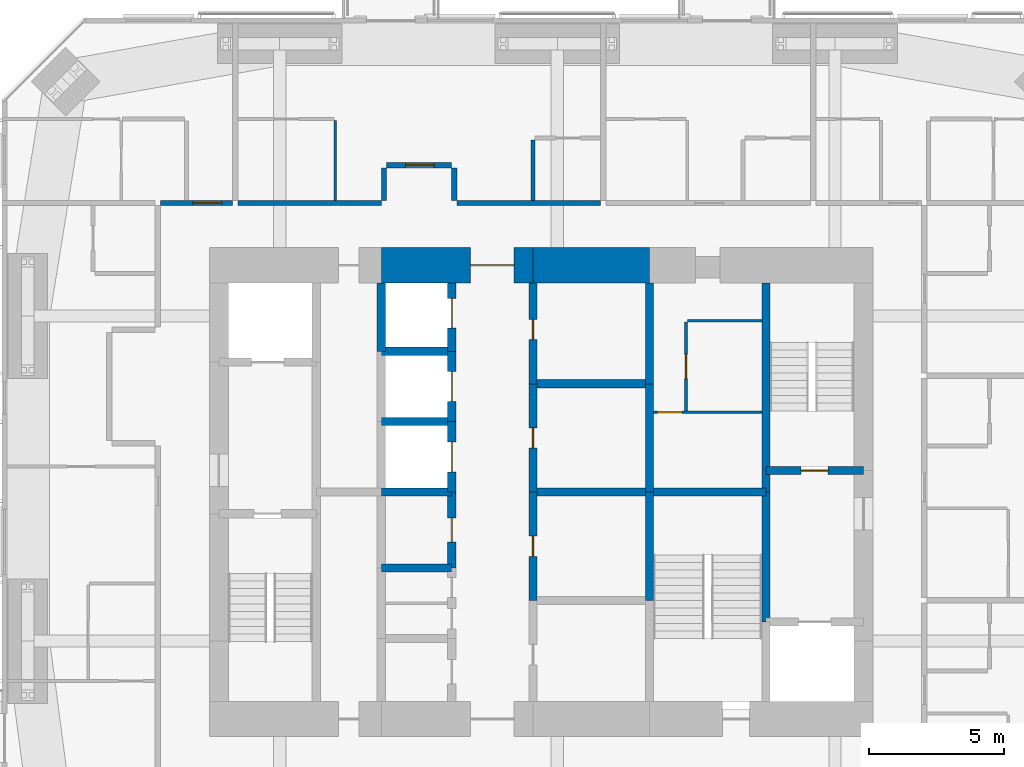
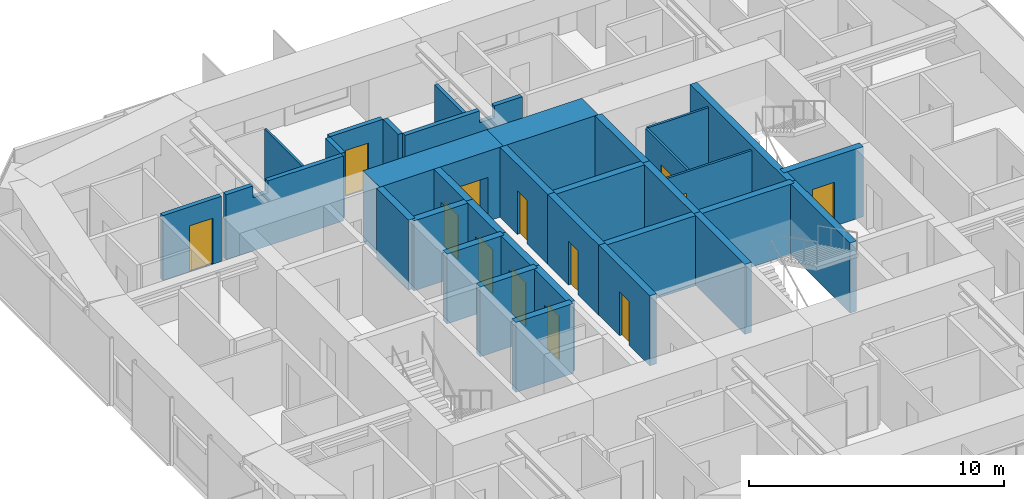
# One storey, part 18 of 22: 34 walls, 13 doors, 13 openings.
"""IFC4 building model written with IfcOpenShell, lengths in metres."""

from ifc_helpers import new_model, si_unit, direction, frame, frame_2d, origin, place, context, subcontext, project, spatial, polyline, rectangle, outline, extrude, material, layer, layer_set, constituent, constituent_set, type_object, element, fill, save


model = new_model("IFC4")

# Units and contexts
model_context = context("Model", 3, precision=1e-05, world=origin(), true_north=direction((0.0, 1.0)))
body_context = subcontext(model_context, "Body", "Model", "MODEL_VIEW")
ifc_project = project(units=[si_unit("LENGTHUNIT", "METRE"), si_unit("AREAUNIT", "SQUARE_METRE"), si_unit("VOLUMEUNIT", "CUBIC_METRE"), si_unit("PLANEANGLEUNIT", "RADIAN"), si_unit("MASSUNIT", "GRAM", prefix="KILO")], contexts=[model_context])

# Site, building, storey
site_placement = place(None, origin())
site = spatial("IfcSite", under=ifc_project, at=site_placement, CompositionType="ELEMENT")
building_placement = place(site_placement, origin())
building = spatial("IfcBuilding", under=site, at=building_placement, Name="Jalousie Tower", CompositionType="ELEMENT")
storey_placement = place(building_placement, frame((0.0, 0.0, 161.050048828125)))
storey = spatial("IfcBuildingStorey", under=building, at=storey_placement, Name="L43", CompositionType="ELEMENT", Elevation=161.050048828125)

# Walls
ifc_material_1 = material(Name="Concrete block ASTM C90", Category="concrete")
ifc_constituent_1 = constituent(ifc_material_1, Name="Body")
ifc_material_2 = material(Name="Render")
ifc_constituent_2 = constituent(ifc_material_2, Name="Finish")
ifc_constituent_set_1 = constituent_set(constituents=[ifc_constituent_1, ifc_constituent_2])
wall_type_1 = type_object("IfcWallType", Name="BATHROOM WALL 150", PredefinedType="PLUMBINGWALL", material=ifc_constituent_set_1)
wall_1_placement = place(storey_placement, frame((31.60009765625, 31.5, 0.0), z_axis=(0.0, 0.0, 1.0), x_axis=(0.0, -1.0, 0.0)))
element("IfcWall", 1, at=wall_1_placement, inside=storey, type_object=wall_type_1, Name="Bathroom Wall 150 L43", PredefinedType="PLUMBINGWALL", context=body_context, shape_type="SweptSolid", body=[
    extrude(rectangle(XDim=2.22509765625, YDim=0.14990234375, at=frame_2d((1.112548828125, 0.0))), origin(), (0.0, 0.0, 1.0), 3.10986328125),
])
ifc_material_3 = material(Name="Concrete f'c 120 MPa", Category="concrete")
ifc_layer_1 = layer(ifc_material_3, 1.300048828125)
ifc_layer_set_1 = layer_set([ifc_layer_1], Name="Concrete f'c 120 MPa")
wall_type_2 = type_object("IfcWallType", Name="CORE WALL 1300", PredefinedType="SHEAR", material=ifc_layer_set_1)
wall_2_placement = place(storey_placement, frame((35.89990234375, 26.875, 0.0), z_axis=(0.0, 0.0, 1.0), x_axis=(-1.0, 0.0, 0.0)))
element("IfcWall", 2, at=wall_2_placement, inside=storey, type_object=wall_type_2, Name="Core wall NB L43", PredefinedType="SHEAR", context=body_context, shape_type="SweptSolid", body=[
    extrude(rectangle(XDim=4.2998046875, YDim=1.300048828125, at=frame_2d((2.14990234375, 0.0))), origin(), (0.0, 0.0, 1.0), 3.349853515625),
])

# Wall, opening, door
wall_3_placement = place(storey_placement, frame((31.60009765625, 26.875, 0.0), z_axis=(0.0, 0.0, 1.0), x_axis=(-1.0, 0.0, 0.0)))
wall_3 = element("IfcWall", 3, at=wall_3_placement, inside=storey, type_object=wall_type_2, Name="Core wall NC L43", PredefinedType="SHEAR", context=body_context, shape_type="SweptSolid", body=[
    extrude(rectangle(XDim=5.60009765625, YDim=1.300048828125, at=frame_2d((2.800048828125, 0.0))), origin(), (0.0, 0.0, 1.0), 3.349853515625),
])
opening_1_placement = place(wall_3_placement, frame((0.699951171875, 0.0, 0.0)))
opening_1 = element("IfcOpeningElement", 4, at=opening_1_placement, cuts=wall_3, Name="Opening D15", PredefinedType="OPENING", context=body_context, shape_type="SweptSolid", body=[
    extrude(rectangle(XDim=1.60009765625, YDim=2.10009765625, at=frame_2d((0.800048828125, 1.050048828125))), frame((0.0, 0.659912109375, 0.0), z_axis=(0.0, -1.0, 0.0), x_axis=(1.0, 0.0, 0.0)), (0.0, 0.0, 1.0), 1.320068359375),
])
ifc_material_4 = material(Name="Steel fire door", Category="steel")
door_type_1 = type_object("IfcDoorType", Name="LIFT LOBBY DOOR 1600", OperationType="DOUBLE_DOOR_SINGLE_SWING", PredefinedType="DOOR", material=ifc_material_4)
door_1_placement = place(opening_1_placement, origin())
door_1 = element("IfcDoor", 5, at=door_1_placement, inside=storey, type_object=door_type_1, Name="Lift lobby north door", OperationType="DOUBLE_DOOR_SINGLE_SWING", OverallHeight=2.10009765625, OverallWidth=1.60009765625, PredefinedType="DOOR", context=body_context, shape_type="SweptSolid", body=[
    extrude(rectangle(XDim=1.60009765625, YDim=2.10009765625, at=frame_2d((0.800048828125, 1.050048828125))), frame((0.0, 0.02490234375, 0.0), z_axis=(0.0, -1.0, 0.0), x_axis=(1.0, 0.0, 0.0)), (0.0, 0.0, 1.0), 0.050048828125),
])
fill(opening_1, door_1)

# Wall
ifc_material_5 = material(Name="Concrete f'c 120 MPa", Category="concrete")
ifc_layer_2 = layer(ifc_material_5, 0.300048828125)
ifc_layer_set_2 = layer_set([ifc_layer_2], Name="Concrete f'c 120 MPa")
wall_type_3 = type_object("IfcWallType", Name="CORE WALL 300", PredefinedType="SHEAR", material=ifc_layer_set_2)
wall_4_placement = place(storey_placement, frame((26.0, 23.699951171875, 0.0), z_axis=(0.0, 0.0, 1.0), x_axis=(0.0, 1.0, 0.0)))
element("IfcWall", 6, at=wall_4_placement, inside=storey, type_object=wall_type_3, Name="Core wall X26F L43", PredefinedType="SHEAR", context=body_context, shape_type="SweptSolid", body=[
    extrude(rectangle(XDim=2.525146484375, YDim=0.300048828125, at=frame_2d((1.2626953125, 0.0))), origin(), (0.0, 0.0, 1.0), 3.349853515625),
])

# Wall, opening, door
wall_5_placement = place(storey_placement, frame((28.60009765625, 15.699951171875, 0.0), z_axis=(0.0, 0.0, 1.0), x_axis=(0.0, 1.0, 0.0)))
wall_5 = element("IfcWall", 7, at=wall_5_placement, inside=storey, type_object=wall_type_3, Name="Core wall X28.6C L43", PredefinedType="SHEAR", context=body_context, shape_type="SweptSolid", body=[
    extrude(rectangle(XDim=2.800048828125, YDim=0.300048828125, at=frame_2d((1.39990234375, 0.0))), origin(), (0.0, 0.0, 1.0), 3.349853515625),
])
opening_2_placement = place(wall_5_placement, frame((0.949951171875, 0.0, 0.0)))
opening_2 = element("IfcOpeningElement", 8, at=opening_2_placement, cuts=wall_5, Name="Opening D24", PredefinedType="OPENING", context=body_context, shape_type="SweptSolid", body=[
    extrude(rectangle(XDim=0.89990234375, YDim=2.10009765625, at=frame_2d((0.449951171875, 1.050048828125))), frame((0.0, 0.159912109375, 0.0), z_axis=(0.0, -1.0, 0.0), x_axis=(1.0, 0.0, 0.0)), (0.0, 0.0, 1.0), 0.320068359375),
])
ifc_material_6 = material(Name="Steel fire door", Category="steel")
door_type_2 = type_object("IfcDoorType", Name="CORE ROOM DOOR 900", OperationType="SINGLE_SWING_LEFT", PredefinedType="DOOR", material=ifc_material_6)
door_2_placement = place(opening_2_placement, origin())
door_2 = element("IfcDoor", 9, at=door_2_placement, inside=storey, type_object=door_type_2, Name="IT room door", OperationType="SINGLE_SWING_LEFT", OverallHeight=2.10009765625, OverallWidth=0.89990234375, PredefinedType="DOOR", context=body_context, shape_type="SweptSolid", body=[
    extrude(rectangle(XDim=0.89990234375, YDim=2.10009765625, at=frame_2d((0.449951171875, 1.050048828125))), frame((0.0, 0.02490234375, 0.0), z_axis=(0.0, -1.0, 0.0), x_axis=(1.0, 0.0, 0.0)), (0.0, 0.0, 1.0), 0.050048828125),
])
fill(opening_2, door_2)

wall_6_placement = place(storey_placement, frame((28.60009765625, 18.5, 0.0), z_axis=(0.0, 0.0, 1.0), x_axis=(0.0, 1.0, 0.0)))
wall_6 = element("IfcWall", 10, at=wall_6_placement, inside=storey, type_object=wall_type_3, Name="Core wall X28.6D L43", PredefinedType="SHEAR", context=body_context, shape_type="SweptSolid", body=[
    extrude(rectangle(XDim=2.60009765625, YDim=0.300048828125, at=frame_2d((1.300048828125, 0.0))), origin(), (0.0, 0.0, 1.0), 3.349853515625),
])
opening_3_placement = place(wall_6_placement, frame((0.75, 0.0, 0.0)))
opening_3 = element("IfcOpeningElement", 11, at=opening_3_placement, cuts=wall_6, Name="Opening LD1", PredefinedType="OPENING", context=body_context, shape_type="SweptSolid", body=[
    extrude(rectangle(XDim=1.10009765625, YDim=2.10009765625, at=frame_2d((0.550048828125, 1.050048828125))), frame((0.0, 0.159912109375, 0.0), z_axis=(0.0, -1.0, 0.0), x_axis=(1.0, 0.0, 0.0)), (0.0, 0.0, 1.0), 0.320068359375),
])
ifc_material_7 = material(Name="Steel lift landing door", Category="steel")
door_type_3 = type_object("IfcDoorType", Name="LIFT LANDING DOOR 1100", OperationType="SLIDING_TO_LEFT", PredefinedType="DOOR", material=ifc_material_7)
door_3_placement = place(opening_3_placement, origin())
door_3 = element("IfcDoor", 12, at=door_3_placement, inside=storey, type_object=door_type_3, Name="Lift P4 landing door", OperationType="SLIDING_TO_LEFT", OverallHeight=2.10009765625, OverallWidth=1.10009765625, PredefinedType="DOOR", context=body_context, shape_type="SweptSolid", body=[
    extrude(rectangle(XDim=1.10009765625, YDim=2.10009765625, at=frame_2d((0.550048828125, 1.050048828125))), frame((0.0, 0.02490234375, 0.0), z_axis=(0.0, -1.0, 0.0), x_axis=(1.0, 0.0, 0.0)), (0.0, 0.0, 1.0), 0.050048828125),
])
fill(opening_3, door_3)

wall_7_placement = place(storey_placement, frame((28.60009765625, 21.10009765625, 0.0), z_axis=(0.0, 0.0, 1.0), x_axis=(0.0, 1.0, 0.0)))
wall_7 = element("IfcWall", 13, at=wall_7_placement, inside=storey, type_object=wall_type_3, Name="Core wall X28.6E L43", PredefinedType="SHEAR", context=body_context, shape_type="SweptSolid", body=[
    extrude(rectangle(XDim=2.599853515625, YDim=0.300048828125, at=frame_2d((1.2998046875, 0.0))), origin(), (0.0, 0.0, 1.0), 3.349853515625),
])
opening_4_placement = place(wall_7_placement, frame((0.75, 0.0, 0.0)))
opening_4 = element("IfcOpeningElement", 14, at=opening_4_placement, cuts=wall_7, Name="Opening LD1", PredefinedType="OPENING", context=body_context, shape_type="SweptSolid", body=[
    extrude(rectangle(XDim=1.10009765625, YDim=2.10009765625, at=frame_2d((0.550048828125, 1.050048828125))), frame((0.0, 0.159912109375, 0.0), z_axis=(0.0, -1.0, 0.0), x_axis=(1.0, 0.0, 0.0)), (0.0, 0.0, 1.0), 0.320068359375),
])
door_4_placement = place(opening_4_placement, origin())
door_4 = element("IfcDoor", 15, at=door_4_placement, inside=storey, type_object=door_type_3, Name="Lift P5 landing door", OperationType="SLIDING_TO_LEFT", OverallHeight=2.10009765625, OverallWidth=1.10009765625, PredefinedType="DOOR", context=body_context, shape_type="SweptSolid", body=[
    extrude(rectangle(XDim=1.10009765625, YDim=2.10009765625, at=frame_2d((0.550048828125, 1.050048828125))), frame((0.0, 0.02490234375, 0.0), z_axis=(0.0, -1.0, 0.0), x_axis=(1.0, 0.0, 0.0)), (0.0, 0.0, 1.0), 0.050048828125),
])
fill(opening_4, door_4)

wall_8_placement = place(storey_placement, frame((28.60009765625, 23.699951171875, 0.0), z_axis=(0.0, 0.0, 1.0), x_axis=(0.0, 1.0, 0.0)))
wall_8 = element("IfcWall", 16, at=wall_8_placement, inside=storey, type_object=wall_type_3, Name="Core wall X28.6F L43", PredefinedType="SHEAR", context=body_context, shape_type="SweptSolid", body=[
    extrude(rectangle(XDim=2.525146484375, YDim=0.300048828125, at=frame_2d((1.2626953125, 0.0))), origin(), (0.0, 0.0, 1.0), 3.349853515625),
])
opening_5_placement = place(wall_8_placement, frame((0.85009765625, 0.0, 0.0)))
opening_5 = element("IfcOpeningElement", 17, at=opening_5_placement, cuts=wall_8, Name="Opening LD1", PredefinedType="OPENING", context=body_context, shape_type="SweptSolid", body=[
    extrude(rectangle(XDim=1.10009765625, YDim=2.10009765625, at=frame_2d((0.550048828125, 1.050048828125))), frame((0.0, 0.159912109375, 0.0), z_axis=(0.0, -1.0, 0.0), x_axis=(1.0, 0.0, 0.0)), (0.0, 0.0, 1.0), 0.320068359375),
])
door_5_placement = place(opening_5_placement, origin())
door_5 = element("IfcDoor", 18, at=door_5_placement, inside=storey, type_object=door_type_3, Name="Lift P6 landing door", OperationType="SLIDING_TO_LEFT", OverallHeight=2.10009765625, OverallWidth=1.10009765625, PredefinedType="DOOR", context=body_context, shape_type="SweptSolid", body=[
    extrude(rectangle(XDim=1.10009765625, YDim=2.10009765625, at=frame_2d((0.550048828125, 1.050048828125))), frame((0.0, 0.02490234375, 0.0), z_axis=(0.0, -1.0, 0.0), x_axis=(1.0, 0.0, 0.0)), (0.0, 0.0, 1.0), 0.050048828125),
])
fill(opening_5, door_5)

wall_9_placement = place(storey_placement, frame((31.60009765625, 14.5, 0.0), z_axis=(0.0, 0.0, 1.0), x_axis=(0.0, 1.0, 0.0)))
wall_9 = element("IfcWall", 19, at=wall_9_placement, inside=storey, type_object=wall_type_3, Name="Core wall X31.6B L43", PredefinedType="SHEAR", context=body_context, shape_type="SweptSolid", body=[
    extrude(rectangle(XDim=4.0, YDim=0.300048828125, at=frame_2d((2.0, 0.0))), origin(), (0.0, 0.0, 1.0), 3.349853515625),
])
opening_6_placement = place(wall_9_placement, frame((1.625, 0.0, 0.0)))
opening_6 = element("IfcOpeningElement", 20, at=opening_6_placement, cuts=wall_9, Name="Opening D16", PredefinedType="OPENING", context=body_context, shape_type="SweptSolid", body=[
    extrude(rectangle(XDim=0.75, YDim=2.10009765625, at=frame_2d((0.375, 1.050048828125))), frame((0.0, 0.159912109375, 0.0), z_axis=(0.0, -1.0, 0.0), x_axis=(1.0, 0.0, 0.0)), (0.0, 0.0, 1.0), 0.320068359375),
])
ifc_material_8 = material(Name="Steel fire door", Category="steel")
door_type_4 = type_object("IfcDoorType", Name="RISER DOOR 750", OperationType="SINGLE_SWING_LEFT", PredefinedType="DOOR", material=ifc_material_8)
door_6_placement = place(opening_6_placement, frame((0.75, 0.0, 0.0), z_axis=(0.0, 0.0, 1.0), x_axis=(-1.0, 0.0, 0.0)))
door_6 = element("IfcDoor", 21, at=door_6_placement, inside=storey, type_object=door_type_4, Name="Electrical Room door", OperationType="SINGLE_SWING_RIGHT", OverallHeight=2.10009765625, OverallWidth=0.75, PredefinedType="DOOR", context=body_context, shape_type="SweptSolid", body=[
    extrude(rectangle(XDim=0.75, YDim=2.10009765625, at=frame_2d((0.375, 1.050048828125))), frame((0.0, 0.02490234375, 0.0), z_axis=(0.0, -1.0, 0.0), x_axis=(1.0, 0.0, 0.0)), (0.0, 0.0, 1.0), 0.050048828125),
])
fill(opening_6, door_6)

wall_10_placement = place(storey_placement, frame((31.60009765625, 18.5, 0.0), z_axis=(0.0, 0.0, 1.0), x_axis=(0.0, 1.0, 0.0)))
wall_10 = element("IfcWall", 22, at=wall_10_placement, inside=storey, type_object=wall_type_3, Name="Core wall X31.6C L43", PredefinedType="SHEAR", context=body_context, shape_type="SweptSolid", body=[
    extrude(rectangle(XDim=4.0, YDim=0.300048828125, at=frame_2d((2.0, 0.0))), origin(), (0.0, 0.0, 1.0), 3.349853515625),
])
opening_7_placement = place(wall_10_placement, frame((1.625, 0.0, 0.0)))
opening_7 = element("IfcOpeningElement", 23, at=opening_7_placement, cuts=wall_10, Name="Opening D16", PredefinedType="OPENING", context=body_context, shape_type="SweptSolid", body=[
    extrude(rectangle(XDim=0.75, YDim=2.10009765625, at=frame_2d((0.375, 1.050048828125))), frame((0.0, 0.159912109375, 0.0), z_axis=(0.0, -1.0, 0.0), x_axis=(1.0, 0.0, 0.0)), (0.0, 0.0, 1.0), 0.320068359375),
])
door_7_placement = place(opening_7_placement, frame((0.75, 0.0, 0.0), z_axis=(0.0, 0.0, 1.0), x_axis=(-1.0, 0.0, 0.0)))
door_7 = element("IfcDoor", 24, at=door_7_placement, inside=storey, type_object=door_type_4, Name="Telecom Room door", OperationType="SINGLE_SWING_RIGHT", OverallHeight=2.10009765625, OverallWidth=0.75, PredefinedType="DOOR", context=body_context, shape_type="SweptSolid", body=[
    extrude(rectangle(XDim=0.75, YDim=2.10009765625, at=frame_2d((0.375, 1.050048828125))), frame((0.0, 0.02490234375, 0.0), z_axis=(0.0, -1.0, 0.0), x_axis=(1.0, 0.0, 0.0)), (0.0, 0.0, 1.0), 0.050048828125),
])
fill(opening_7, door_7)

wall_11_placement = place(storey_placement, frame((31.60009765625, 22.5, 0.0), z_axis=(0.0, 0.0, 1.0), x_axis=(0.0, 1.0, 0.0)))
wall_11 = element("IfcWall", 25, at=wall_11_placement, inside=storey, type_object=wall_type_3, Name="Core wall X31.6D L43", PredefinedType="SHEAR", context=body_context, shape_type="SweptSolid", body=[
    extrude(rectangle(XDim=3.72509765625, YDim=0.300048828125, at=frame_2d((1.862548828125, 0.0))), origin(), (0.0, 0.0, 1.0), 3.349853515625),
])
opening_8_placement = place(wall_11_placement, frame((1.625, 0.0, 0.0)))
opening_8 = element("IfcOpeningElement", 26, at=opening_8_placement, cuts=wall_11, Name="Opening D16", PredefinedType="OPENING", context=body_context, shape_type="SweptSolid", body=[
    extrude(rectangle(XDim=0.75, YDim=2.10009765625, at=frame_2d((0.375, 1.050048828125))), frame((0.0, 0.159912109375, 0.0), z_axis=(0.0, -1.0, 0.0), x_axis=(1.0, 0.0, 0.0)), (0.0, 0.0, 1.0), 0.320068359375),
])
door_8_placement = place(opening_8_placement, frame((0.75, 0.0, 0.0), z_axis=(0.0, 0.0, 1.0), x_axis=(-1.0, 0.0, 0.0)))
door_8 = element("IfcDoor", 27, at=door_8_placement, inside=storey, type_object=door_type_4, Name="Water Services Room door", OperationType="SINGLE_SWING_LEFT", OverallHeight=2.10009765625, OverallWidth=0.75, PredefinedType="DOOR", context=body_context, shape_type="SweptSolid", body=[
    extrude(rectangle(XDim=0.75, YDim=2.10009765625, at=frame_2d((0.375, 1.050048828125))), frame((0.0, 0.02490234375, 0.0), z_axis=(0.0, -1.0, 0.0), x_axis=(1.0, 0.0, 0.0)), (0.0, 0.0, 1.0), 0.050048828125),
])
fill(opening_8, door_8)

# Walls
for number, where, z_axis, x_axis, name in (
    (28, (35.89990234375, 14.5, 0.0), (0.0, 0.0, 1.0), (0.0, 1.0, 0.0), "Core wall X35.9B L43"),
    (29, (35.89990234375, 18.5, 0.0), (0.0, 0.0, 1.0), (0.0, 1.0, 0.0), "Core wall X35.9C L43"),
):
    element("IfcWall", number, at=place(storey_placement, frame(where, z_axis=z_axis, x_axis=x_axis)), inside=storey, type_object=wall_type_3, Name=name, PredefinedType="SHEAR", context=body_context, shape_type="SweptSolid", body=[
        extrude(rectangle(XDim=4.0, YDim=0.300048828125, at=frame_2d((2.0, 0.0))), origin(), (0.0, 0.0, 1.0), 3.349853515625),
    ])
wall_12_placement = place(storey_placement, frame((35.89990234375, 22.5, 0.0), z_axis=(0.0, 0.0, 1.0), x_axis=(0.0, 1.0, 0.0)))
element("IfcWall", 30, at=wall_12_placement, inside=storey, type_object=wall_type_3, Name="Core wall X35.9D L43", PredefinedType="SHEAR", context=body_context, shape_type="SweptSolid", body=[
    extrude(rectangle(XDim=3.72509765625, YDim=0.300048828125, at=frame_2d((1.862548828125, 0.0))), origin(), (0.0, 0.0, 1.0), 3.349853515625),
])
wall_13_placement = place(storey_placement, frame((40.199951171875, 13.699951171875, 0.0), z_axis=(0.0, 0.0, 1.0), x_axis=(0.0, 1.0, 0.0)))
element("IfcWall", 31, at=wall_13_placement, inside=storey, type_object=wall_type_3, Name="Core wall X40.2B L43", PredefinedType="SHEAR", context=body_context, shape_type="SweptSolid", body=[
    extrude(rectangle(XDim=4.800048828125, YDim=0.300048828125, at=frame_2d((2.39990234375, 0.0))), origin(), (0.0, 0.0, 1.0), 3.349853515625),
])
wall_14_placement = place(storey_placement, frame((40.199951171875, 18.5, 0.0), z_axis=(0.0, 0.0, 1.0), x_axis=(0.0, 1.0, 0.0)))
element("IfcWall", 32, at=wall_14_placement, inside=storey, type_object=wall_type_3, Name="Core wall X40.2C L43", PredefinedType="SHEAR", context=body_context, shape_type="SweptSolid", body=[
    extrude(rectangle(XDim=7.72509765625, YDim=0.300048828125, at=frame_2d((3.862548828125, 0.0))), origin(), (0.0, 0.0, 1.0), 3.349853515625),
])
for number, where, z_axis, x_axis, name in (
    (33, (26.0, 15.699951171875, 0.0), (0.0, 0.0, 1.0), (1.0, 0.0, 0.0), "Core wall Y26-15.7 L43"),
    (34, (26.0, 18.5, 0.0), (0.0, 0.0, 1.0), (1.0, 0.0, 0.0), "Core wall Y26-18.5 L43"),
    (35, (26.0, 21.10009765625, 0.0), (0.0, 0.0, 1.0), (1.0, 0.0, 0.0), "Core wall Y26-21.1 L43"),
    (36, (26.0, 23.699951171875, 0.0), (0.0, 0.0, 1.0), (1.0, 0.0, 0.0), "Core wall Y26-23.7 L43"),
):
    element("IfcWall", number, at=place(storey_placement, frame(where, z_axis=z_axis, x_axis=x_axis)), inside=storey, type_object=wall_type_3, Name=name, PredefinedType="SHEAR", context=body_context, shape_type="SweptSolid", body=[
        extrude(rectangle(XDim=2.60009765625, YDim=0.300048828125, at=frame_2d((1.300048828125, 0.0))), origin(), (0.0, 0.0, 1.0), 3.349853515625),
    ])
for number, where, z_axis, x_axis, name in (
    (37, (31.60009765625, 18.5, 0.0), (0.0, 0.0, 1.0), (1.0, 0.0, 0.0), "Core wall Y31.6-18.5 L43"),
    (38, (31.60009765625, 22.5, 0.0), (0.0, 0.0, 1.0), (1.0, 0.0, 0.0), "Core wall Y31.6-22.5 L43"),
):
    element("IfcWall", number, at=place(storey_placement, frame(where, z_axis=z_axis, x_axis=x_axis)), inside=storey, type_object=wall_type_3, Name=name, PredefinedType="SHEAR", context=body_context, shape_type="SweptSolid", body=[
        extrude(rectangle(XDim=4.2998046875, YDim=0.300048828125, at=frame_2d((2.14990234375, 0.0))), origin(), (0.0, 0.0, 1.0), 3.349853515625),
    ])
wall_15_placement = place(storey_placement, frame((35.89990234375, 18.5, 0.0), z_axis=(0.0, 0.0, 1.0), x_axis=(1.0, 0.0, 0.0)))
element("IfcWall", 39, at=wall_15_placement, inside=storey, type_object=wall_type_3, Name="Core wall Y35.9-18.5 L43", PredefinedType="SHEAR", context=body_context, shape_type="SweptSolid", body=[
    extrude(rectangle(XDim=4.300048828125, YDim=0.300048828125, at=frame_2d((2.14990234375, 0.0))), origin(), (0.0, 0.0, 1.0), 3.349853515625),
])

# Wall, opening, door
wall_16_placement = place(storey_placement, frame((40.199951171875, 19.300048828125, 0.0), z_axis=(0.0, 0.0, 1.0), x_axis=(1.0, 0.0, 0.0)))
wall_16 = element("IfcWall", 40, at=wall_16_placement, inside=storey, type_object=wall_type_3, Name="Core wall Y40.2-19.3 L43", PredefinedType="SHEAR", context=body_context, shape_type="SweptSolid", body=[
    extrude(rectangle(XDim=3.60009765625, YDim=0.300048828125, at=frame_2d((1.800048828125, 0.0))), origin(), (0.0, 0.0, 1.0), 3.349853515625),
])
opening_9_placement = place(wall_16_placement, frame((1.300048828125, 0.0, 0.0)))
opening_9 = element("IfcOpeningElement", 41, at=opening_9_placement, cuts=wall_16, Name="Opening D10", PredefinedType="OPENING", context=body_context, shape_type="SweptSolid", body=[
    extrude(rectangle(XDim=1.0, YDim=2.10009765625, at=frame_2d((0.5, 1.050048828125))), frame((0.0, 0.159912109375, 0.0), z_axis=(0.0, -1.0, 0.0), x_axis=(1.0, 0.0, 0.0)), (0.0, 0.0, 1.0), 0.320068359375),
])
ifc_material_9 = material(Name="Steel fire door", Category="steel")
door_type_5 = type_object("IfcDoorType", Name="STAIR DOOR 1000", OperationType="SINGLE_SWING_LEFT", PredefinedType="DOOR", material=ifc_material_9)
door_9_placement = place(opening_9_placement, origin())
door_9 = element("IfcDoor", 42, at=door_9_placement, inside=storey, type_object=door_type_5, Name="Exit stair B door", OperationType="SINGLE_SWING_RIGHT", OverallHeight=2.10009765625, OverallWidth=1.0, PredefinedType="DOOR", context=body_context, shape_type="SweptSolid", body=[
    extrude(rectangle(XDim=1.0, YDim=2.10009765625, at=frame_2d((0.5, 1.050048828125))), frame((0.0, 0.02490234375, 0.0), z_axis=(0.0, -1.0, 0.0), x_axis=(1.0, 0.0, 0.0)), (0.0, 0.0, 1.0), 0.050048828125),
])
fill(opening_9, door_9)

ifc_material_10 = material(Name="Concrete block ASTM C90", Category="concrete")
ifc_constituent_3 = constituent(ifc_material_10, Name="Body")
ifc_material_11 = material(Name="Render")
ifc_constituent_4 = constituent(ifc_material_11, Name="Finish")
ifc_constituent_set_2 = constituent_set(constituents=[ifc_constituent_3, ifc_constituent_4])
wall_type_4 = type_object("IfcWallType", Name="CORRIDOR WALL 200", PredefinedType="PARTITIONING", material=ifc_constituent_set_2)
wall_17_placement = place(storey_placement, frame((17.85009765625, 29.175048828125, 0.0), z_axis=(0.0, 0.0, 1.0), x_axis=(1.0, 0.0, 0.0)))
wall_17 = element("IfcWall", 43, at=wall_17_placement, inside=storey, type_object=wall_type_4, Name="Corridor Wall 200 L43", PredefinedType="PARTITIONING", context=body_context, shape_type="SweptSolid", body=[
    extrude(rectangle(XDim=2.64990234375, YDim=0.199951171875, at=frame_2d((1.324951171875, 0.0))), origin(), (0.0, 0.0, 1.0), 3.10986328125),
])
opening_10_placement = place(wall_17_placement, frame((1.199951171875, 0.0, 0.0)))
opening_10 = element("IfcOpeningElement", 44, at=opening_10_placement, cuts=wall_17, Name="Opening D1", PredefinedType="OPENING", context=body_context, shape_type="SweptSolid", body=[
    extrude(rectangle(XDim=1.050048828125, YDim=2.199951171875, at=frame_2d((0.52490234375, 1.10009765625))), frame((0.0, 0.10986328125, 0.0), z_axis=(0.0, -1.0, 0.0), x_axis=(1.0, 0.0, 0.0)), (0.0, 0.0, 1.0), 0.219970703125),
])
ifc_material_12 = material(Name="Timber fire door", Category="wood")
door_type_6 = type_object("IfcDoorType", Name="APARTMENT ENTRANCE DOOR 1050", OperationType="SINGLE_SWING_LEFT", PredefinedType="DOOR", material=ifc_material_12)
door_10_placement = place(opening_10_placement, origin())
door_10 = element("IfcDoor", 45, at=door_10_placement, inside=storey, type_object=door_type_6, Name="Apartment 4305 entrance", OperationType="SINGLE_SWING_LEFT", OverallHeight=2.199951171875, OverallWidth=1.050048828125, PredefinedType="DOOR", context=body_context, shape_type="SweptSolid", body=[
    extrude(rectangle(XDim=1.050048828125, YDim=2.199951171875, at=frame_2d((0.52490234375, 1.10009765625))), frame((0.0, 0.02490234375, 0.0), z_axis=(0.0, -1.0, 0.0), x_axis=(1.0, 0.0, 0.0)), (0.0, 0.0, 1.0), 0.050048828125),
])
fill(opening_10, door_10)

# Walls
wall_18_placement = place(storey_placement, frame((20.699951171875, 29.175048828125, 0.0), z_axis=(0.0, 0.0, 1.0), x_axis=(1.0, 0.0, 0.0)))
element("IfcWall", 46, at=wall_18_placement, inside=storey, type_object=wall_type_4, Name="Corridor Wall 200 L43", PredefinedType="PARTITIONING", context=body_context, shape_type="SweptSolid", body=[
    extrude(outline(polyline([(0.0, 0.0), (5.300048828125, 0.0), (5.300048828125, 3.10986328125), (1.88720703125, 3.10986328125), (1.88720703125, 2.541015625), (1.212646484375, 2.541015625), (1.212646484375, 3.10986328125), (0.0, 3.10986328125), (0.0, 0.0)])), frame((0.0, 0.10009765625, 0.0), z_axis=(0.0, -1.0, 0.0), x_axis=(1.0, 0.0, 0.0)), (0.0, 0.0, 1.0), 0.199951171875),
])
wall_19_placement = place(storey_placement, frame((28.800048828125, 29.175048828125, 0.0), z_axis=(0.0, 0.0, 1.0), x_axis=(1.0, 0.0, 0.0)))
element("IfcWall", 47, at=wall_19_placement, inside=storey, type_object=wall_type_4, Name="Corridor Wall 200 L43", PredefinedType="PARTITIONING", context=body_context, shape_type="SweptSolid", body=[
    extrude(outline(polyline([(0.0, 0.0), (5.300048828125, 0.0), (5.300048828125, 3.10986328125), (4.037353515625, 3.10986328125), (4.037353515625, 2.541015625), (3.362548828125, 2.541015625), (3.362548828125, 3.10986328125), (0.0, 3.10986328125), (0.0, 0.0)])), frame((0.0, 0.10009765625, 0.0), z_axis=(0.0, -1.0, 0.0), x_axis=(1.0, 0.0, 0.0)), (0.0, 0.0, 1.0), 0.199951171875),
])

# Wall, opening, door
wall_20_placement = place(storey_placement, frame((26.199951171875, 30.574951171875, 0.0), z_axis=(0.0, 0.0, 1.0), x_axis=(1.0, 0.0, 0.0)))
wall_20 = element("IfcWall", 48, at=wall_20_placement, inside=storey, type_object=wall_type_4, Name="Corridor Wall 200 L43", PredefinedType="PARTITIONING", context=body_context, shape_type="SweptSolid", body=[
    extrude(rectangle(XDim=2.400146484375, YDim=0.199951171875, at=frame_2d((1.2001953125, 0.0))), origin(), (0.0, 0.0, 1.0), 3.10986328125),
])
opening_11_placement = place(wall_20_placement, frame((0.699951171875, 0.0, 0.0)))
opening_11 = element("IfcOpeningElement", 49, at=opening_11_placement, cuts=wall_20, Name="Opening D1", PredefinedType="OPENING", context=body_context, shape_type="SweptSolid", body=[
    extrude(rectangle(XDim=1.050048828125, YDim=2.199951171875, at=frame_2d((0.52490234375, 1.10009765625))), frame((0.0, 0.10986328125, 0.0), z_axis=(0.0, -1.0, 0.0), x_axis=(1.0, 0.0, 0.0)), (0.0, 0.0, 1.0), 0.219970703125),
])
door_11_placement = place(opening_11_placement, origin())
door_11 = element("IfcDoor", 50, at=door_11_placement, inside=storey, type_object=door_type_6, Name="Apartment 4306 entrance", OperationType="SINGLE_SWING_LEFT", OverallHeight=2.199951171875, OverallWidth=1.050048828125, PredefinedType="DOOR", context=body_context, shape_type="SweptSolid", body=[
    extrude(rectangle(XDim=1.050048828125, YDim=2.199951171875, at=frame_2d((0.52490234375, 1.10009765625))), frame((0.0, 0.02490234375, 0.0), z_axis=(0.0, -1.0, 0.0), x_axis=(1.0, 0.0, 0.0)), (0.0, 0.0, 1.0), 0.050048828125),
])
fill(opening_11, door_11)

# Walls
for number, where, z_axis, x_axis, name in (
    (51, (26.10009765625, 29.27490234375, 0.0), (0.0, 0.0, 1.0), (0.0, 1.0, 0.0), "Corridor Wall 200 L43"),
    (52, (28.699951171875, 29.27490234375, 0.0), (0.0, 0.0, 1.0), (0.0, 1.0, 0.0), "Corridor Wall 200 L43"),
):
    element("IfcWall", number, at=place(storey_placement, frame(where, z_axis=z_axis, x_axis=x_axis)), inside=storey, type_object=wall_type_4, Name=name, PredefinedType="PARTITIONING", context=body_context, shape_type="SweptSolid", body=[
        extrude(rectangle(XDim=1.2001953125, YDim=0.199951171875, at=frame_2d((0.60009765625, 0.0))), origin(), (0.0, 0.0, 1.0), 3.10986328125),
    ])
ifc_material_13 = material(Name="Gypsum board", Category="gypsum")
ifc_constituent_5 = constituent(ifc_material_13, Name="Body")
ifc_material_14 = material(Name="Light-gauge steel studs ASTM A653 SS Grade 33", Category="steel")
ifc_constituent_6 = constituent(ifc_material_14, Name="Framing")
ifc_constituent_set_3 = constituent_set(constituents=[ifc_constituent_5, ifc_constituent_6])
wall_type_5 = type_object("IfcWallType", Name="PARTITION 100", PredefinedType="PARTITIONING", material=ifc_constituent_set_3)
wall_21_placement = place(storey_placement, frame((24.300048828125, 32.22509765625, 0.0), z_axis=(0.0, 0.0, 1.0), x_axis=(0.0, -1.0, 0.0)))
element("IfcWall", 53, at=wall_21_placement, inside=storey, type_object=wall_type_5, Name="Partition 100 L43", PredefinedType="PARTITIONING", context=body_context, shape_type="SweptSolid", body=[
    extrude(rectangle(XDim=2.9501953125, YDim=0.10009765625, at=frame_2d((1.47509765625, 0.0))), origin(), (0.0, 0.0, 1.0), 3.10986328125),
])
wall_22_placement = place(storey_placement, frame((37.300048828125, 24.824951171875, 0.0), z_axis=(0.0, 0.0, 1.0), x_axis=(1.0, 0.0, 0.0)))
element("IfcWall", 54, at=wall_22_placement, inside=storey, type_object=wall_type_5, Name="Partition 100 L43", PredefinedType="PARTITIONING", context=body_context, shape_type="SweptSolid", body=[
    extrude(rectangle(XDim=2.75, YDim=0.10009765625, at=frame_2d((1.375, 0.0))), origin(), (0.0, 0.0, 1.0), 3.10986328125),
])

# Wall, opening, door
wall_23_placement = place(storey_placement, frame((37.25, 21.5, 0.0), z_axis=(0.0, 0.0, 1.0), x_axis=(0.0, 1.0, 0.0)))
wall_23 = element("IfcWall", 55, at=wall_23_placement, inside=storey, type_object=wall_type_5, Name="Partition 100 L43", PredefinedType="PARTITIONING", context=body_context, shape_type="SweptSolid", body=[
    extrude(rectangle(XDim=3.27490234375, YDim=0.10009765625, at=frame_2d((1.637451171875, 0.0))), origin(), (0.0, 0.0, 1.0), 3.10986328125),
])
opening_12_placement = place(wall_23_placement, frame((1.1875, 0.0, 0.0)))
opening_12 = element("IfcOpeningElement", 56, at=opening_12_placement, cuts=wall_23, Name="Opening D7", PredefinedType="OPENING", context=body_context, shape_type="SweptSolid", body=[
    extrude(rectangle(XDim=0.89990234375, YDim=2.10009765625, at=frame_2d((0.449951171875, 1.050048828125))), frame((0.0, 0.06005859375, 0.0), z_axis=(0.0, -1.0, 0.0), x_axis=(1.0, 0.0, 0.0)), (0.0, 0.0, 1.0), 0.1201171875),
])
ifc_material_15 = material(Name="Timber door", Category="wood")
door_type_7 = type_object("IfcDoorType", Name="INTERNAL DOOR 900", OperationType="SINGLE_SWING_LEFT", PredefinedType="DOOR", material=ifc_material_15)
door_12_placement = place(opening_12_placement, frame((0.89990234375, 0.0, 0.0), z_axis=(0.0, 0.0, 1.0), x_axis=(-1.0, 0.0, 0.0)))
door_12 = element("IfcDoor", 57, at=door_12_placement, inside=storey, type_object=door_type_7, Name="Ice and vending room door", OperationType="SINGLE_SWING_LEFT", OverallHeight=2.10009765625, OverallWidth=0.89990234375, PredefinedType="DOOR", context=body_context, shape_type="SweptSolid", body=[
    extrude(rectangle(XDim=0.89990234375, YDim=2.10009765625, at=frame_2d((0.449951171875, 1.050048828125))), frame((0.0, 0.02490234375, 0.0), z_axis=(0.0, -1.0, 0.0), x_axis=(1.0, 0.0, 0.0)), (0.0, 0.0, 1.0), 0.050048828125),
])
fill(opening_12, door_12)

wall_24_placement = place(storey_placement, frame((36.050048828125, 21.449951171875, 0.0), z_axis=(0.0, 0.0, 1.0), x_axis=(1.0, 0.0, 0.0)))
wall_24 = element("IfcWall", 58, at=wall_24_placement, inside=storey, type_object=wall_type_5, Name="Partition 100 L43", PredefinedType="PARTITIONING", context=body_context, shape_type="SweptSolid", body=[
    extrude(rectangle(XDim=4.0, YDim=0.10009765625, at=frame_2d((2.0, 0.0))), origin(), (0.0, 0.0, 1.0), 3.10986328125),
])
opening_13_placement = place(wall_24_placement, frame((0.14990234375, 0.0, 0.0)))
opening_13 = element("IfcOpeningElement", 59, at=opening_13_placement, cuts=wall_24, Name="Opening D7", PredefinedType="OPENING", context=body_context, shape_type="SweptSolid", body=[
    extrude(rectangle(XDim=0.89990234375, YDim=2.10009765625, at=frame_2d((0.449951171875, 1.050048828125))), frame((0.0, 0.06005859375, 0.0), z_axis=(0.0, -1.0, 0.0), x_axis=(1.0, 0.0, 0.0)), (0.0, 0.0, 1.0), 0.1201171875),
])
door_13_placement = place(opening_13_placement, frame((0.89990234375, 0.0, 0.0), z_axis=(0.0, 0.0, 1.0), x_axis=(-1.0, 0.0, 0.0)))
door_13 = element("IfcDoor", 60, at=door_13_placement, inside=storey, type_object=door_type_7, Name="Linen store door", OperationType="SINGLE_SWING_RIGHT", OverallHeight=2.10009765625, OverallWidth=0.89990234375, PredefinedType="DOOR", context=body_context, shape_type="SweptSolid", body=[
    extrude(rectangle(XDim=0.89990234375, YDim=2.10009765625, at=frame_2d((0.449951171875, 1.050048828125))), frame((0.0, 0.02490234375, 0.0), z_axis=(0.0, -1.0, 0.0), x_axis=(1.0, 0.0, 0.0)), (0.0, 0.0, 1.0), 0.050048828125),
])
fill(opening_13, door_13)

save(model, "model.ifc")
